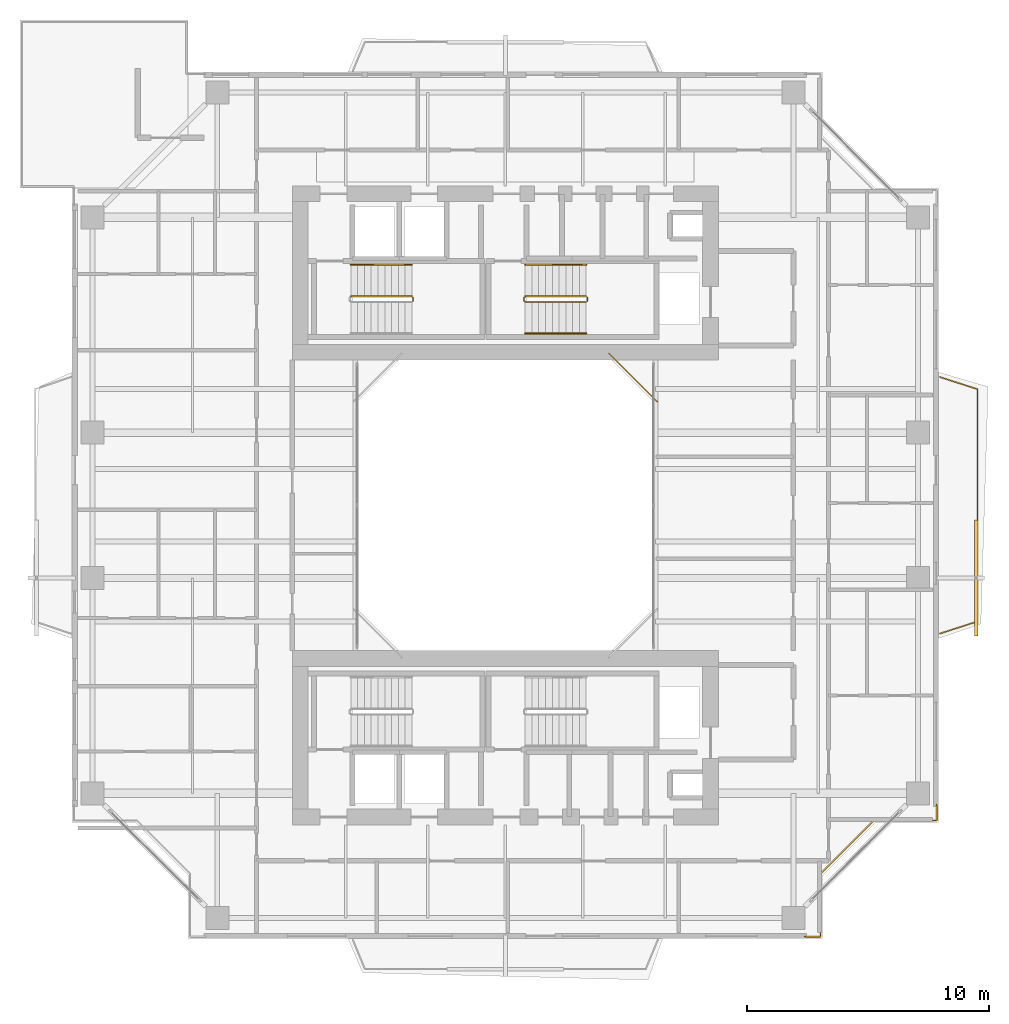
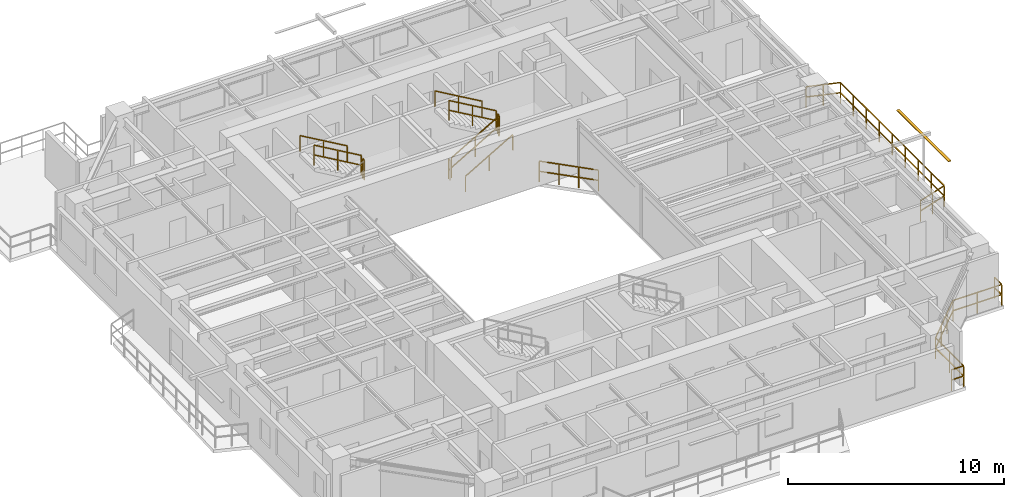
# One storey, part 17 of 18: 12 railings, 1 shading device.
"""IFC4 building model written with IfcOpenShell, lengths in metres."""

from ifc_helpers import new_model, si_unit, direction, frame, origin, origin_2d, place, context, subcontext, project, spatial, rectangle, extrude, source, transform, mapped, material, material_profile, profile_set, type_object, element, save


model = new_model("IFC4")

# Units and contexts
model_context = context("Model", 3, precision=1e-05, world=origin(), true_north=direction((0.0, 1.0)))
body_context = subcontext(model_context, "Body", "Model", "MODEL_VIEW")
ifc_project = project(units=[si_unit("LENGTHUNIT", "METRE"), si_unit("AREAUNIT", "SQUARE_METRE"), si_unit("VOLUMEUNIT", "CUBIC_METRE"), si_unit("PLANEANGLEUNIT", "RADIAN"), si_unit("MASSUNIT", "GRAM", prefix="KILO"), si_unit("THERMODYNAMICTEMPERATUREUNIT", "KELVIN"), si_unit("POWERUNIT", "WATT")], contexts=[model_context])

# Site, building, storey
site_placement = place(None, origin())
site = spatial("IfcSite", under=ifc_project, at=site_placement, CompositionType="ELEMENT")
building_placement = place(site_placement, origin())
building = spatial("IfcBuilding", under=site, at=building_placement, Name="Qiaomeng Ring Towers", CompositionType="ELEMENT")
storey_placement = place(building_placement, frame((0.0, 0.0, 182.75)))
storey = spatial("IfcBuildingStorey", under=building, at=storey_placement, Name="L53", CompositionType="ELEMENT", Elevation=182.75)

# Railings
ifc_material_1 = material(Name="Low-E pale-green laminated safety glass", Category="glass")
railing_type_1 = type_object("IfcRailingType", Name="ARC-RL-BAL1", PredefinedType="BALUSTRADE", material=ifc_material_1)
railing_1_placement = place(storey_placement, frame((25.280029296875, 27.280029296875, 0.0)))
element("IfcRailing", 1, at=railing_1_placement, inside=storey, type_object=railing_type_1, Name="L53 Balustrade ARC-BAL-WELL1-L53-2", PredefinedType="BALUSTRADE", context=body_context, shape_type="SweptSolid", body=[
    extrude(rectangle(XDim=0.048095703125, YDim=0.048095703125, at=origin_2d()), frame((0.0, 0.0, 1.17578125), z_axis=(-0.707106781187, 0.707106781187, 0.0), x_axis=(-0.707106781187, -0.707106781187, 0.0)), (0.0, 0.0, 1.0), 2.828369140625),
    extrude(rectangle(XDim=0.048095703125, YDim=0.048095703125, at=origin_2d()), frame((0.0, 0.0, 0.60009765625), z_axis=(-0.707106781187, 0.707106781187, 0.0), x_axis=(-0.707106781187, -0.707106781187, 0.0)), (0.0, 0.0, 1.0), 2.828369140625),
    extrude(rectangle(XDim=0.0419921875, YDim=0.0419921875, at=origin_2d()), origin(), (0.0, 0.0, 1.0), 1.15185546875),
    extrude(rectangle(XDim=0.0419921875, YDim=0.0419921875, at=origin_2d()), frame((-0.666748046875, 0.666748046875, 0.0)), (0.0, 0.0, 1.0), 1.15185546875),
    extrude(rectangle(XDim=0.0419921875, YDim=0.0419921875, at=origin_2d()), frame((-1.333251953125, 1.333251953125, 0.0)), (0.0, 0.0, 1.0), 1.15185546875),
    extrude(rectangle(XDim=0.0419921875, YDim=0.0419921875, at=origin_2d()), frame((-2.0, 2.0, 0.0)), (0.0, 0.0, 1.0), 1.15185546875),
])
railing_2_placement = place(storey_placement, frame((31.3701171875, 5.179931640625, 0.0)))
element("IfcRailing", 2, at=railing_2_placement, inside=storey, type_object=railing_type_1, Name="L53 Balustrade ARC-BAL-NOTCH1-L53-SE", PredefinedType="BALUSTRADE", context=body_context, shape_type="SweptSolid", body=[
    extrude(rectangle(XDim=0.048095703125, YDim=0.048095703125, at=origin_2d()), frame((0.0, 0.0, 1.17578125), z_axis=(1.0, 0.0, 0.0), x_axis=(0.0, 1.0, 0.0)), (0.0, 0.0, 1.0), 0.64990234375),
    extrude(rectangle(XDim=0.048095703125, YDim=0.048095703125, at=origin_2d()), frame((0.0, 0.0, 0.60009765625), z_axis=(1.0, 0.0, 0.0), x_axis=(0.0, 1.0, 0.0)), (0.0, 0.0, 1.0), 0.64990234375),
    extrude(rectangle(XDim=0.048095703125, YDim=0.048095703125, at=origin_2d()), frame((0.64990234375, 0.0, 1.17578125), z_axis=(0.0, 1.0, 0.0), x_axis=(-1.0, 0.0, 0.0)), (0.0, 0.0, 1.0), 2.60009765625),
    extrude(rectangle(XDim=0.048095703125, YDim=0.048095703125, at=origin_2d()), frame((0.64990234375, 0.0, 0.60009765625), z_axis=(0.0, 1.0, 0.0), x_axis=(-1.0, 0.0, 0.0)), (0.0, 0.0, 1.0), 2.60009765625),
    extrude(rectangle(XDim=0.048095703125, YDim=0.048095703125, at=origin_2d()), frame((0.64990234375, 2.60009765625, 1.17578125), z_axis=(0.707106781187, 0.707106781187, 0.0), x_axis=(-0.707106781187, 0.707106781187, 0.0)), (0.0, 0.0, 1.0), 3.111083984375),
    extrude(rectangle(XDim=0.048095703125, YDim=0.048095703125, at=origin_2d()), frame((0.64990234375, 2.60009765625, 0.60009765625), z_axis=(0.707106781187, 0.707106781187, 0.0), x_axis=(-0.707106781187, 0.707106781187, 0.0)), (0.0, 0.0, 1.0), 3.111083984375),
    extrude(rectangle(XDim=0.048095703125, YDim=0.048095703125, at=origin_2d()), frame((2.849853515625, 4.800048828125, 1.17578125), z_axis=(1.0, 0.0, 0.0), x_axis=(0.0, 1.0, 0.0)), (0.0, 0.0, 1.0), 2.60009765625),
    extrude(rectangle(XDim=0.048095703125, YDim=0.048095703125, at=origin_2d()), frame((2.849853515625, 4.800048828125, 0.60009765625), z_axis=(1.0, 0.0, 0.0), x_axis=(0.0, 1.0, 0.0)), (0.0, 0.0, 1.0), 2.60009765625),
    extrude(rectangle(XDim=0.048095703125, YDim=0.048095703125, at=origin_2d()), frame((5.449951171875, 4.800048828125, 1.17578125), z_axis=(0.0, 1.0, 0.0), x_axis=(-1.0, 0.0, 0.0)), (0.0, 0.0, 1.0), 0.64990234375),
    extrude(rectangle(XDim=0.048095703125, YDim=0.048095703125, at=origin_2d()), frame((5.449951171875, 4.800048828125, 0.60009765625), z_axis=(0.0, 1.0, 0.0), x_axis=(-1.0, 0.0, 0.0)), (0.0, 0.0, 1.0), 0.64990234375),
    extrude(rectangle(XDim=0.0419921875, YDim=0.0419921875, at=origin_2d()), origin(), (0.0, 0.0, 1.0), 1.15185546875),
    extrude(rectangle(XDim=0.0419921875, YDim=0.0419921875, at=origin_2d()), frame((0.64990234375, 0.0, 0.0)), (0.0, 0.0, 1.0), 1.15185546875),
    extrude(rectangle(XDim=0.0419921875, YDim=0.0419921875, at=origin_2d()), frame((0.64990234375, 1.300048828125, 0.0)), (0.0, 0.0, 1.0), 1.15185546875),
    extrude(rectangle(XDim=0.0419921875, YDim=0.0419921875, at=origin_2d()), frame((0.64990234375, 2.60009765625, 0.0)), (0.0, 0.0, 1.0), 1.15185546875),
    extrude(rectangle(XDim=0.0419921875, YDim=0.0419921875, at=origin_2d()), frame((1.38330078125, 3.33349609375, 0.0)), (0.0, 0.0, 1.0), 1.15185546875),
    extrude(rectangle(XDim=0.0419921875, YDim=0.0419921875, at=origin_2d()), frame((2.116455078125, 4.066650390625, 0.0)), (0.0, 0.0, 1.0), 1.15185546875),
    extrude(rectangle(XDim=0.0419921875, YDim=0.0419921875, at=origin_2d()), frame((2.849853515625, 4.800048828125, 0.0)), (0.0, 0.0, 1.0), 1.15185546875),
    extrude(rectangle(XDim=0.0419921875, YDim=0.0419921875, at=origin_2d()), frame((4.14990234375, 4.800048828125, 0.0)), (0.0, 0.0, 1.0), 1.15185546875),
    extrude(rectangle(XDim=0.0419921875, YDim=0.0419921875, at=origin_2d()), frame((5.449951171875, 4.800048828125, 0.0)), (0.0, 0.0, 1.0), 1.15185546875),
    extrude(rectangle(XDim=0.0419921875, YDim=0.0419921875, at=origin_2d()), frame((5.449951171875, 5.449951171875, 0.0)), (0.0, 0.0, 1.0), 1.15185546875),
])
railing_3_placement = place(storey_placement, frame((36.949951171875, 17.699951171875, 0.0)))
element("IfcRailing", 3, at=railing_3_placement, inside=storey, type_object=railing_type_1, Name="L53 Balustrade ARC-BAL-L53-T1-E", PredefinedType="BALUSTRADE", context=body_context, shape_type="SweptSolid", body=[
    extrude(rectangle(XDim=0.048095703125, YDim=0.048095703125, at=origin_2d()), frame((0.0, 0.0, 1.17578125), z_axis=(0.951711443346, 0.306994020471, 0.0), x_axis=(-0.306994020471, 0.951711443346, 0.0)), (0.0, 0.0, 1.0), 1.628662109375),
    extrude(rectangle(XDim=0.048095703125, YDim=0.048095703125, at=origin_2d()), frame((0.0, 0.0, 0.60009765625), z_axis=(0.951711443346, 0.306994020471, 0.0), x_axis=(-0.306994020471, 0.951711443346, 0.0)), (0.0, 0.0, 1.0), 1.628662109375),
    extrude(rectangle(XDim=0.048095703125, YDim=0.048095703125, at=origin_2d()), frame((1.550048828125, 0.5, 1.17578125), z_axis=(0.0, 1.0, 0.0), x_axis=(-1.0, 0.0, 0.0)), (0.0, 0.0, 1.0), 9.60009765625),
    extrude(rectangle(XDim=0.048095703125, YDim=0.048095703125, at=origin_2d()), frame((1.550048828125, 0.5, 0.60009765625), z_axis=(0.0, 1.0, 0.0), x_axis=(-1.0, 0.0, 0.0)), (0.0, 0.0, 1.0), 9.60009765625),
    extrude(rectangle(XDim=0.048095703125, YDim=0.048095703125, at=origin_2d()), frame((1.550048828125, 10.10009765625, 1.17578125), z_axis=(-0.951711443346, 0.306994020471, 0.0), x_axis=(-0.306994020471, -0.951711443346, 0.0)), (0.0, 0.0, 1.0), 1.628662109375),
    extrude(rectangle(XDim=0.048095703125, YDim=0.048095703125, at=origin_2d()), frame((1.550048828125, 10.10009765625, 0.60009765625), z_axis=(-0.951711443346, 0.306994020471, 0.0), x_axis=(-0.306994020471, -0.951711443346, 0.0)), (0.0, 0.0, 1.0), 1.628662109375),
    extrude(rectangle(XDim=0.0419921875, YDim=0.0419921875, at=origin_2d()), origin(), (0.0, 0.0, 1.0), 1.15185546875),
    extrude(rectangle(XDim=0.0419921875, YDim=0.0419921875, at=origin_2d()), frame((0.77490234375, 0.25, 0.0)), (0.0, 0.0, 1.0), 1.15185546875),
    extrude(rectangle(XDim=0.0419921875, YDim=0.0419921875, at=origin_2d()), frame((1.550048828125, 0.5, 0.0)), (0.0, 0.0, 1.0), 1.15185546875),
    extrude(rectangle(XDim=0.0419921875, YDim=0.0419921875, at=origin_2d()), frame((1.550048828125, 1.699951171875, 0.0)), (0.0, 0.0, 1.0), 1.15185546875),
    extrude(rectangle(XDim=0.0419921875, YDim=0.0419921875, at=origin_2d()), frame((1.550048828125, 2.89990234375, 0.0)), (0.0, 0.0, 1.0), 1.15185546875),
    extrude(rectangle(XDim=0.0419921875, YDim=0.0419921875, at=origin_2d()), frame((1.550048828125, 4.10009765625, 0.0)), (0.0, 0.0, 1.0), 1.15185546875),
    extrude(rectangle(XDim=0.0419921875, YDim=0.0419921875, at=origin_2d()), frame((1.550048828125, 5.300048828125, 0.0)), (0.0, 0.0, 1.0), 1.15185546875),
    extrude(rectangle(XDim=0.0419921875, YDim=0.0419921875, at=origin_2d()), frame((1.550048828125, 6.5, 0.0)), (0.0, 0.0, 1.0), 1.15185546875),
    extrude(rectangle(XDim=0.0419921875, YDim=0.0419921875, at=origin_2d()), frame((1.550048828125, 7.7001953125, 0.0)), (0.0, 0.0, 1.0), 1.15185546875),
    extrude(rectangle(XDim=0.0419921875, YDim=0.0419921875, at=origin_2d()), frame((1.550048828125, 8.900146484375, 0.0)), (0.0, 0.0, 1.0), 1.15185546875),
    extrude(rectangle(XDim=0.0419921875, YDim=0.0419921875, at=origin_2d()), frame((1.550048828125, 10.10009765625, 0.0)), (0.0, 0.0, 1.0), 1.15185546875),
    extrude(rectangle(XDim=0.0419921875, YDim=0.0419921875, at=origin_2d()), frame((0.77490234375, 10.35009765625, 0.0)), (0.0, 0.0, 1.0), 1.15185546875),
    extrude(rectangle(XDim=0.0419921875, YDim=0.0419921875, at=origin_2d()), frame((0.0, 10.60009765625, 0.0)), (0.0, 0.0, 1.0), 1.15185546875),
])
ifc_material_2 = material(Name="Galvanised steel", Category="steel")
railing_type_2 = type_object("IfcRailingType", Name="ARC-RL-GUARD", PredefinedType="GUARDRAIL", material=ifc_material_2)
railing_4_placement = place(storey_placement, frame((15.18994140625, 31.449951171875, 1.625)))
element("IfcRailing", 4, at=railing_4_placement, inside=storey, type_object=railing_type_2, Name="L53 ST1 stair guard 2", PredefinedType="GUARDRAIL", context=body_context, shape_type="SweptSolid", body=[
    extrude(rectangle(XDim=0.048095703125, YDim=0.048095703125, at=origin_2d()), frame((0.0, 0.0, 1.1259765625), z_axis=(0.0, 1.0, 0.0), x_axis=(-1.0, 0.0, 0.0)), (0.0, 0.0, 1.0), 0.14013671875),
    extrude(rectangle(XDim=0.048095703125, YDim=0.048095703125, at=origin_2d()), frame((0.0, 0.0, 0.574951171875), z_axis=(0.0, 1.0, 0.0), x_axis=(-1.0, 0.0, 0.0)), (0.0, 0.0, 1.0), 0.14013671875),
    extrude(rectangle(XDim=0.0419921875, YDim=0.0419921875, at=origin_2d()), origin(), (0.0, 0.0, 1.0), 1.101806640625),
    extrude(rectangle(XDim=0.0419921875, YDim=0.0419921875, at=origin_2d()), frame((0.0, 0.14013671875, 0.0)), (0.0, 0.0, 1.0), 1.101806640625),
])
railing_5_placement = place(storey_placement, frame((15.139892578125, 31.639892578125, 1.78759765625)))
element("IfcRailing", 5, at=railing_5_placement, inside=storey, type_object=railing_type_2, Name="L53 ST1 stair guard 3", PredefinedType="GUARDRAIL", context=body_context, shape_type="SweptSolid", body=[
    extrude(rectangle(XDim=0.048095703125, YDim=0.048095703125, at=origin_2d()), frame((0.0, 0.0, 1.1259765625), z_axis=(-0.864892226395, 0.0, 0.501957604506), x_axis=(0.0, -1.0, 0.0)), (0.0, 0.0, 1.0), 2.913330078125),
    extrude(rectangle(XDim=0.048095703125, YDim=0.048095703125, at=origin_2d()), frame((0.0, 0.0, 0.574951171875), z_axis=(-0.864892226395, 0.0, 0.501957604506), x_axis=(0.0, -1.0, 0.0)), (0.0, 0.0, 1.0), 2.913330078125),
    extrude(rectangle(XDim=0.0419921875, YDim=0.0419921875, at=origin_2d()), origin(), (0.0, 0.0, 1.0), 1.101806640625),
    extrude(rectangle(XDim=0.0419921875, YDim=0.0419921875, at=origin_2d()), frame((-1.259765625, 0.0, 0.731201171875)), (0.0, 0.0, 1.0), 1.101806640625),
    extrude(rectangle(XDim=0.0419921875, YDim=0.0419921875, at=origin_2d()), frame((-2.519775390625, 0.0, 1.46240234375)), (0.0, 0.0, 1.0), 1.101806640625),
])
railing_6_placement = place(storey_placement, frame((19.820068359375, 31.39990234375, 0.16259765625)))
element("IfcRailing", 6, at=railing_6_placement, inside=storey, type_object=railing_type_2, Name="L53 ST2 stair guard 1", PredefinedType="GUARDRAIL", context=body_context, shape_type="SweptSolid", body=[
    extrude(rectangle(XDim=0.048095703125, YDim=0.048095703125, at=origin_2d()), frame((0.0, 0.0, 1.1259765625), z_axis=(0.864913338283, 0.0, 0.50192122615), x_axis=(0.0, 1.0, 0.0)), (0.0, 0.0, 1.0), 2.91357421875),
    extrude(rectangle(XDim=0.048095703125, YDim=0.048095703125, at=origin_2d()), frame((0.0, 0.0, 0.574951171875), z_axis=(0.864913338283, 0.0, 0.50192122615), x_axis=(0.0, 1.0, 0.0)), (0.0, 0.0, 1.0), 2.91357421875),
    extrude(rectangle(XDim=0.0419921875, YDim=0.0419921875, at=origin_2d()), origin(), (0.0, 0.0, 1.0), 1.101806640625),
    extrude(rectangle(XDim=0.0419921875, YDim=0.0419921875, at=origin_2d()), frame((1.260009765625, 0.0, 0.731201171875)), (0.0, 0.0, 1.0), 1.101806640625),
    extrude(rectangle(XDim=0.0419921875, YDim=0.0419921875, at=origin_2d()), frame((2.52001953125, 0.0, 1.46240234375)), (0.0, 0.0, 1.0), 1.101806640625),
])
railing_7_placement = place(storey_placement, frame((22.389892578125, 31.449951171875, 1.625)))
element("IfcRailing", 7, at=railing_7_placement, inside=storey, type_object=railing_type_2, Name="L53 ST2 stair guard 2", PredefinedType="GUARDRAIL", context=body_context, shape_type="SweptSolid", body=[
    extrude(rectangle(XDim=0.048095703125, YDim=0.048095703125, at=origin_2d()), frame((0.0, 0.0, 1.1259765625), z_axis=(0.0, 1.0, 0.0), x_axis=(-1.0, 0.0, 0.0)), (0.0, 0.0, 1.0), 0.14013671875),
    extrude(rectangle(XDim=0.048095703125, YDim=0.048095703125, at=origin_2d()), frame((0.0, 0.0, 0.574951171875), z_axis=(0.0, 1.0, 0.0), x_axis=(-1.0, 0.0, 0.0)), (0.0, 0.0, 1.0), 0.14013671875),
    extrude(rectangle(XDim=0.0419921875, YDim=0.0419921875, at=origin_2d()), origin(), (0.0, 0.0, 1.0), 1.101806640625),
    extrude(rectangle(XDim=0.0419921875, YDim=0.0419921875, at=origin_2d()), frame((0.0, 0.14013671875, 0.0)), (0.0, 0.0, 1.0), 1.101806640625),
])
railing_8_placement = place(storey_placement, frame((22.340087890625, 31.639892578125, 1.78759765625)))
element("IfcRailing", 8, at=railing_8_placement, inside=storey, type_object=railing_type_2, Name="L53 ST2 stair guard 3", PredefinedType="GUARDRAIL", context=body_context, shape_type="SweptSolid", body=[
    extrude(rectangle(XDim=0.048095703125, YDim=0.048095703125, at=origin_2d()), frame((0.0, 0.0, 1.1259765625), z_axis=(-0.864913338283, 0.0, 0.50192122615), x_axis=(0.0, -1.0, 0.0)), (0.0, 0.0, 1.0), 2.91357421875),
    extrude(rectangle(XDim=0.048095703125, YDim=0.048095703125, at=origin_2d()), frame((0.0, 0.0, 0.574951171875), z_axis=(-0.864913338283, 0.0, 0.50192122615), x_axis=(0.0, -1.0, 0.0)), (0.0, 0.0, 1.0), 2.91357421875),
    extrude(rectangle(XDim=0.0419921875, YDim=0.0419921875, at=origin_2d()), origin(), (0.0, 0.0, 1.0), 1.101806640625),
    extrude(rectangle(XDim=0.0419921875, YDim=0.0419921875, at=origin_2d()), frame((-1.260009765625, 0.0, 0.731201171875)), (0.0, 0.0, 1.0), 1.101806640625),
    extrude(rectangle(XDim=0.0419921875, YDim=0.0419921875, at=origin_2d()), frame((-2.52001953125, 0.0, 1.46240234375)), (0.0, 0.0, 1.0), 1.101806640625),
])
railing_9_placement = place(storey_placement, frame((19.77001953125, 31.449951171875, 0.0)))
element("IfcRailing", 9, at=railing_9_placement, inside=storey, type_object=railing_type_2, Name="L53 ST2 stair guard 4", PredefinedType="GUARDRAIL", context=body_context, shape_type="SweptSolid", body=[
    extrude(rectangle(XDim=0.048095703125, YDim=0.048095703125, at=origin_2d()), frame((0.0, 0.0, 1.1259765625), z_axis=(0.0, 1.0, 0.0), x_axis=(-1.0, 0.0, 0.0)), (0.0, 0.0, 1.0), 0.14013671875),
    extrude(rectangle(XDim=0.048095703125, YDim=0.048095703125, at=origin_2d()), frame((0.0, 0.0, 0.574951171875), z_axis=(0.0, 1.0, 0.0), x_axis=(-1.0, 0.0, 0.0)), (0.0, 0.0, 1.0), 0.14013671875),
    extrude(rectangle(XDim=0.0419921875, YDim=0.0419921875, at=origin_2d()), origin(), (0.0, 0.0, 1.0), 1.101806640625),
    extrude(rectangle(XDim=0.0419921875, YDim=0.0419921875, at=origin_2d()), frame((0.0, 0.14013671875, 0.0)), (0.0, 0.0, 1.0), 1.101806640625),
])
ifc_material_3 = material(Name="Stainless steel 316", Category="steel")
railing_type_3 = type_object("IfcRailingType", Name="ARC-RL-HAND", PredefinedType="HANDRAIL", material=ifc_material_3)
railing_10_placement = place(storey_placement, frame((15.139892578125, 32.93994140625, 1.78759765625)))
element("IfcRailing", 10, at=railing_10_placement, inside=storey, type_object=railing_type_3, Name="L53 ST1 stair handrail 2", PredefinedType="HANDRAIL", context=body_context, shape_type="SweptSolid", body=[
    extrude(rectangle(XDim=0.048095703125, YDim=0.048095703125, at=origin_2d()), frame((0.0, 0.0, 0.8759765625), z_axis=(-0.864892226395, 0.0, 0.501957604506), x_axis=(0.0, -1.0, 0.0)), (0.0, 0.0, 1.0), 2.913330078125),
    extrude(rectangle(XDim=0.0419921875, YDim=0.0419921875, at=origin_2d()), origin(), (0.0, 0.0, 1.0), 0.851806640625),
    extrude(rectangle(XDim=0.0419921875, YDim=0.0419921875, at=origin_2d()), frame((-1.259765625, 0.0, 0.731201171875)), (0.0, 0.0, 1.0), 0.851806640625),
    extrude(rectangle(XDim=0.0419921875, YDim=0.0419921875, at=origin_2d()), frame((-2.519775390625, 0.0, 1.46240234375)), (0.0, 0.0, 1.0), 0.851806640625),
])
railing_11_placement = place(storey_placement, frame((19.820068359375, 30.10009765625, 0.16259765625)))
element("IfcRailing", 11, at=railing_11_placement, inside=storey, type_object=railing_type_3, Name="L53 ST2 stair handrail 1", PredefinedType="HANDRAIL", context=body_context, shape_type="SweptSolid", body=[
    extrude(rectangle(XDim=0.048095703125, YDim=0.048095703125, at=origin_2d()), frame((0.0, 0.0, 0.8759765625), z_axis=(0.864913338283, 0.0, 0.50192122615), x_axis=(0.0, 1.0, 0.0)), (0.0, 0.0, 1.0), 2.91357421875),
    extrude(rectangle(XDim=0.0419921875, YDim=0.0419921875, at=origin_2d()), origin(), (0.0, 0.0, 1.0), 0.851806640625),
    extrude(rectangle(XDim=0.0419921875, YDim=0.0419921875, at=origin_2d()), frame((1.260009765625, 0.0, 0.731201171875)), (0.0, 0.0, 1.0), 0.851806640625),
    extrude(rectangle(XDim=0.0419921875, YDim=0.0419921875, at=origin_2d()), frame((2.52001953125, 0.0, 1.46240234375)), (0.0, 0.0, 1.0), 0.851806640625),
])
railing_12_placement = place(storey_placement, frame((22.340087890625, 32.93994140625, 1.78759765625)))
element("IfcRailing", 12, at=railing_12_placement, inside=storey, type_object=railing_type_3, Name="L53 ST2 stair handrail 2", PredefinedType="HANDRAIL", context=body_context, shape_type="SweptSolid", body=[
    extrude(rectangle(XDim=0.048095703125, YDim=0.048095703125, at=origin_2d()), frame((0.0, 0.0, 0.8759765625), z_axis=(-0.864913338283, 0.0, 0.50192122615), x_axis=(0.0, -1.0, 0.0)), (0.0, 0.0, 1.0), 2.91357421875),
    extrude(rectangle(XDim=0.0419921875, YDim=0.0419921875, at=origin_2d()), origin(), (0.0, 0.0, 1.0), 0.851806640625),
    extrude(rectangle(XDim=0.0419921875, YDim=0.0419921875, at=origin_2d()), frame((-1.260009765625, 0.0, 0.731201171875)), (0.0, 0.0, 1.0), 0.851806640625),
    extrude(rectangle(XDim=0.0419921875, YDim=0.0419921875, at=origin_2d()), frame((-2.52001953125, 0.0, 1.46240234375)), (0.0, 0.0, 1.0), 0.851806640625),
])

# Shading device
ifc_material_4 = material(Name="Fluorocarbon dark-grey aluminium", Category="aluminium")
ifc_material_profile = material_profile(ifc_material_4, rectangle(XDim=0.14990234375, YDim=0.034912109375, at=origin_2d()), Name="LV BLADE 150x35")
ifc_profile_set = profile_set([ifc_material_profile], Name="Fluorocarbon dark-grey aluminium")
shading_device_type = type_object("IfcShadingDeviceType", Name="ARC-SHD-SUN", PredefinedType="AWNING", material=ifc_profile_set)
shared_shape = source(origin(), body_context, "Body", "SweptSolid", [
    extrude(rectangle(XDim=0.14990234375, YDim=0.034912109375, at=origin_2d()), origin(), (0.0, 0.0, 1.0), 4.7998046875),
])
shading_device_placement = place(storey_placement, frame((38.449951171875, 17.60009765625, 2.929931640625), z_axis=(0.0, 1.0, 0.0), x_axis=(-1.0, 0.0, 0.0)))
element("IfcShadingDevice", 13, at=shading_device_placement, inside=storey, type_object=shading_device_type, Name="L53 Ventilated Outer-Skin Sunshade E", PredefinedType="AWNING", context=body_context, shape_type="MappedRepresentation", body=[
    mapped(shared_shape, transform((0.0, 0.0, 0.0), x_axis=(1.0, 0.0, 0.0), y_axis=(0.0, 1.0, 0.0), z_axis=(0.0, 0.0, 1.0), scale=1.0)),
])

save(model, "model.ifc")
